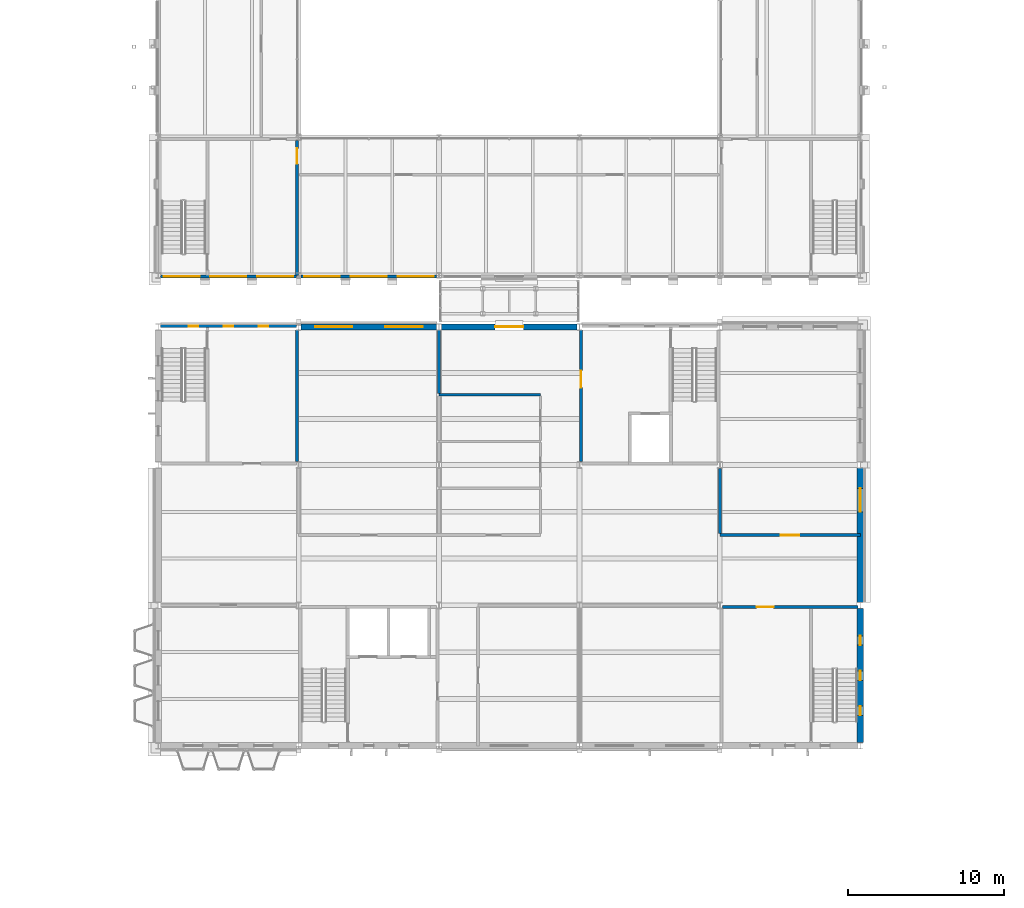
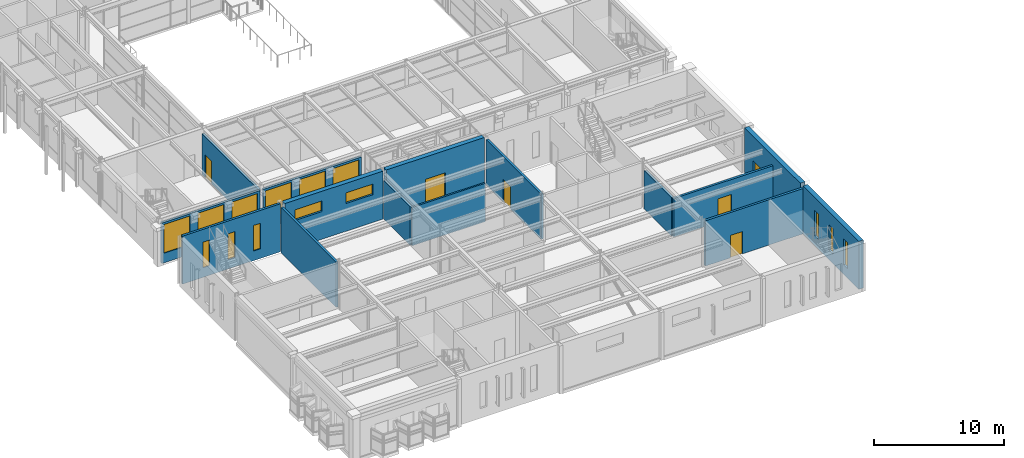
# One storey, part 96 of 153: 15 walls, 15 windows, 5 doors, 20 openings.
"""IFC4 building model written with IfcOpenShell, lengths in metres."""

import ifcopenshell
import ifcopenshell.guid

model = None  # the IFC model being written
_history = None  # IfcOwnerHistory: only IFC2X3 demands one
_inside = {}  # id of a spatial element -> (the spatial element, [elements in it])
_under = {}  # id of a project, library or spatial element -> (it, [spatial elements below it])
_declared = {}  # id of a project -> (the project, [libraries it declares])
_typed = {}  # id of a type object -> (the type object, [elements of that type])
_made_of = {}  # id of a material, layer set ... -> (it, [elements and type objects made of it])


def new_model(schema):
    """Start an empty IFC model of exactly this schema.

    Asked for "IFC4X3", IfcOpenShell would pick the latest addendum, in which some entities
    have other attributes; the version numbers below select the first issue.
    IFC2X3 requires an IfcOwnerHistory on every rooted entity: one is made here for all.
    """
    global model, _history
    if schema == "IFC4X3":
        model = ifcopenshell.file(schema_version=(4, 3, 0, 0))
    else:
        model = ifcopenshell.file(schema=schema)
    _inside.clear()
    _under.clear()
    _declared.clear()
    _typed.clear()
    _made_of.clear()
    _history = None
    if model.schema == "IFC2X3":
        org = make("IfcOrganization", Name="unknown")
        user = make(
            "IfcPersonAndOrganization",
            ThePerson=make("IfcPerson", FamilyName="unknown"),
            TheOrganization=org,
        )
        app = make(
            "IfcApplication",
            ApplicationDeveloper=org,
            Version="unknown",
            ApplicationFullName="unknown",
            ApplicationIdentifier="unknown",
        )
        _history = make(
            "IfcOwnerHistory",
            OwningUser=user,
            OwningApplication=app,
            ChangeAction="ADDED",
            CreationDate=0,
        )
    return model


def make(cls, **values):
    """One entity of the class cls with the attributes given. An attribute that is None is left unset."""
    return model.create_entity(
        cls, **{name: value for name, value in values.items() if value is not None}
    )


def rooted(cls, **values):
    """An entity with a GlobalId (a new one), such as an element, a storey or a relation."""
    return make(cls, GlobalId=ifcopenshell.guid.new(), OwnerHistory=_history, **values)


def si_unit(unit_type, name, prefix=None):
    """IfcSIUnit, for example si_unit("LENGTHUNIT", "METRE", prefix="MILLI")."""
    return make("IfcSIUnit", UnitType=unit_type, Prefix=prefix, Name=name)


def assignment(units):
    """IfcUnitAssignment: the units of a project."""
    return None if units is None else make("IfcUnitAssignment", Units=units)


def point(xyz):
    """IfcCartesianPoint."""
    return None if xyz is None else make("IfcCartesianPoint", Coordinates=xyz)


def direction(xyz):
    """IfcDirection."""
    return None if xyz is None else make("IfcDirection", DirectionRatios=xyz)


def frame(location, z_axis=None, x_axis=None):
    """IfcAxis2Placement3D, a coordinate frame: its origin and axes. An axis left out is left unset."""
    return make(
        "IfcAxis2Placement3D",
        Location=point(location),
        Axis=direction(z_axis),
        RefDirection=direction(x_axis),
    )


def frame_2d(location, x_axis=None):
    """IfcAxis2Placement2D, a coordinate frame in the plane: its origin and x axis."""
    return make(
        "IfcAxis2Placement2D", Location=point(location), RefDirection=direction(x_axis)
    )


def origin():
    """The frame at (0, 0, 0) with its axes left unset."""
    return frame((0.0, 0.0, 0.0))


def place(relative_to, where):
    """IfcLocalPlacement: puts the frame where relative to a parent placement (None: the world)."""
    return make(
        "IfcLocalPlacement", PlacementRelTo=relative_to, RelativePlacement=where
    )


def context(
    kind, dimensions, precision=None, world=None, true_north=None, identifier=None
):
    """IfcGeometricRepresentationContext, for example the 3D "Model" context."""
    return make(
        "IfcGeometricRepresentationContext",
        ContextIdentifier=identifier,
        ContextType=kind,
        CoordinateSpaceDimension=dimensions,
        Precision=precision,
        WorldCoordinateSystem=world,
        TrueNorth=true_north,
    )


def subcontext(parent, identifier, kind, view, scale=None):
    """IfcGeometricRepresentationSubContext, for example "Body" below "Model"."""
    return make(
        "IfcGeometricRepresentationSubContext",
        ContextIdentifier=identifier,
        ContextType=kind,
        ParentContext=parent,
        TargetScale=scale,
        TargetView=view,
    )


def project(units=None, contexts=None):
    """IfcProject with its units and contexts."""
    return rooted(
        "IfcProject",
        Name="project",
        RepresentationContexts=contexts,
        UnitsInContext=assignment(units),
    )


def spatial(cls, under=None, at=None, **own):
    """A site, building, storey or space (cls), placed at a placement, below another one or the project."""
    s = rooted(cls, ObjectPlacement=at, **own)
    if under is not None:
        _under.setdefault(under.id(), (under, []))[1].append(s)
    return s


def profile(cls, at=None, kind="AREA", **sizes):
    """A parametric profile (cls). Its sizes go by their IFC names, for example OverallWidth=200.0."""
    return make(cls, ProfileType=kind, Position=at, **sizes)


def rectangle(**sizes):
    """IfcRectangleProfileDef."""
    return profile("IfcRectangleProfileDef", **sizes)


def extrude(swept, where, along, depth):
    """IfcExtrudedAreaSolid: the profile swept, set in the frame where, extruded along a direction by depth."""
    return make(
        "IfcExtrudedAreaSolid",
        SweptArea=swept,
        Position=where,
        ExtrudedDirection=direction(along),
        Depth=depth,
    )


def shape(context_of_items, identifier, shape_type, items):
    """IfcShapeRepresentation: the items that make up one representation, for example the "Body"."""
    return make(
        "IfcShapeRepresentation",
        ContextOfItems=context_of_items,
        RepresentationIdentifier=identifier,
        RepresentationType=shape_type,
        Items=items,
    )


def material(Name=None, Category=None):
    """IfcMaterial."""
    return make("IfcMaterial", Name=Name, Category=Category)


def layer(
    of_material, thickness, ventilated=None, Name=None, Category=None, Priority=None
):
    """IfcMaterialLayer: one layer of a wall or slab, of a material (None: an air gap)."""
    return make(
        "IfcMaterialLayer",
        Material=of_material,
        LayerThickness=thickness,
        IsVentilated=ventilated,
        Name=Name,
        Category=Category,
        Priority=Priority,
    )


def layer_set(layers, Name=None):
    """IfcMaterialLayerSet."""
    return make("IfcMaterialLayerSet", MaterialLayers=layers, LayerSetName=Name)


def made_of(thing, what):
    """Note that an element or type object is made of a material, layer set ...; save() writes the relation."""
    if what is not None:
        _made_of.setdefault(what.id(), (what, []))[1].append(thing)
    return thing


def type_object(cls, material=None, **own):
    """A type object (cls), such as IfcWallType, which elements share."""
    return made_of(rooted(cls, **own), material)


def element(
    cls,
    number,
    at=None,
    inside=None,
    cuts=None,
    type_object=None,
    material=None,
    context=None,
    identifier="Body",
    shape_type=None,
    held_by="IfcProductDefinitionShape",
    body=None,
    shapes=None,
    **own,
):
    """One element of the class cls, such as IfcWall. Its Tag is "e" and its number.

    at: its placement. inside: the storey or other place that contains it. cuts: it is an
    opening in that element (IfcRelVoidsElement). A single representation is given by context,
    identifier, shape_type and body (its items); several are given by shapes. held_by: the class
    of the entity that holds the representations. save() writes the other relations.
    """
    e = rooted(cls, Tag="e%d" % number, ObjectPlacement=at, **own)
    if body is not None:
        shapes = [shape(context, identifier, shape_type, body)]
    if shapes is not None:
        e.Representation = make(held_by, Representations=shapes)
    if inside is not None:
        _inside.setdefault(inside.id(), (inside, []))[1].append(e)
    if cuts is not None:
        rooted(
            "IfcRelVoidsElement", RelatingBuildingElement=cuts, RelatedOpeningElement=e
        )
    if type_object is not None:
        _typed.setdefault(type_object.id(), (type_object, []))[1].append(e)
    return made_of(e, material)


def fill(opening, filler):
    """IfcRelFillsElement: the door or window that sits in an opening."""
    return rooted(
        "IfcRelFillsElement",
        RelatingOpeningElement=opening,
        RelatedBuildingElement=filler,
    )


def aggregate(whole, parts):
    """IfcRelAggregates: a whole, such as a stair, and the parts it consists of."""
    return rooted("IfcRelAggregates", RelatingObject=whole, RelatedObjects=parts)


def save(model, path):
    """Write the relations noted so far, then the file.

    IfcRelAggregates (storeys below a building ...), IfcRelContainedInSpatialStructure (elements
    in a storey), IfcRelDefinesByType, IfcRelAssociatesMaterial and IfcRelDeclares: one each for
    every whole, place, type object, material and project.
    """
    for whole, parts in _under.values():
        aggregate(whole, parts)
    for where, things in _inside.values():
        rooted(
            "IfcRelContainedInSpatialStructure",
            RelatedElements=things,
            RelatingStructure=where,
        )
    for kind, things in _typed.values():
        rooted("IfcRelDefinesByType", RelatedObjects=things, RelatingType=kind)
    for what, things in _made_of.values():
        rooted("IfcRelAssociatesMaterial", RelatedObjects=things, RelatingMaterial=what)
    for by, libraries in _declared.values():
        rooted("IfcRelDeclares", RelatingContext=by, RelatedDefinitions=libraries)
    model.write(path)


model = new_model("IFC4")

# Units and contexts
model_context = context("Model", 3, precision=1e-05, world=origin(), true_north=direction((0.0, 1.0)))
body_context = subcontext(model_context, "Body", "Model", "MODEL_VIEW")
ifc_project = project(units=[si_unit("LENGTHUNIT", "METRE"), si_unit("AREAUNIT", "SQUARE_METRE"), si_unit("VOLUMEUNIT", "CUBIC_METRE"), si_unit("PLANEANGLEUNIT", "RADIAN"), si_unit("MASSUNIT", "GRAM", prefix="KILO")], contexts=[model_context])

# Site, building, storey
site_placement = place(None, origin())
site = spatial("IfcSite", under=ifc_project, at=site_placement, CompositionType="ELEMENT")
building_placement = place(site_placement, origin())
building = spatial("IfcBuilding", under=site, at=building_placement, Name="Kallimachos Central Library", CompositionType="ELEMENT")
storey_placement = place(building_placement, frame((0.0, 0.0, 5.39990234375)))
storey = spatial("IfcBuildingStorey", under=building, at=storey_placement, Name="L01", CompositionType="ELEMENT", Elevation=5.39990234375)

# Wall, opening, door
ifc_material_1 = material(Name="Concrete C30/37", Category="concrete")
ifc_layer_1 = layer(ifc_material_1, 0.199951171875)
ifc_layer_set_1 = layer_set([ifc_layer_1], Name="Compartment wall 200")
wall_type_1 = type_object("IfcWallType", Name="Compartment wall 200", PredefinedType="SOLIDWALL", material=ifc_layer_set_1)
wall_1_placement = place(storey_placement, frame((101.5, 31.5, 0.0), z_axis=(0.0, 0.0, 1.0), x_axis=(1.0, 0.0, 0.0)))
wall_1 = element("IfcWall", 1, at=wall_1_placement, inside=storey, type_object=wall_type_1, Name="V5-WAL-L01-047", PredefinedType="SOLIDWALL", context=body_context, shape_type="SweptSolid", body=[
    extrude(rectangle(XDim=9.0, YDim=0.199951171875, at=frame_2d((4.5, 0.0))), origin(), (0.0, 0.0, 1.0), 3.60009765625),
])
opening_1_placement = place(wall_1_placement, frame((3.89990234375, 0.0, 0.0)))
opening_1 = element("IfcOpeningElement", 2, at=opening_1_placement, cuts=wall_1, Name="Opening D108", PredefinedType="OPENING", context=body_context, shape_type="SweptSolid", body=[
    extrude(rectangle(XDim=1.199951171875, YDim=2.199951171875, at=frame_2d((0.60009765625, 1.10009765625))), frame((0.0, 0.10986328125, 0.0), z_axis=(0.0, -1.0, 0.0), x_axis=(1.0, 0.0, 0.0)), (0.0, 0.0, 1.0), 0.219970703125),
])
ifc_material_2 = material(Name="Steel fire door", Category="steel")
door_type_1 = type_object("IfcDoorType", Name="Fire door EI2 90 1200 x 2200", OperationType="DOUBLE_DOOR_SINGLE_SWING", PredefinedType="DOOR", material=ifc_material_2)
door_1_placement = place(opening_1_placement, origin())
door_1 = element("IfcDoor", 3, at=door_1_placement, inside=storey, type_object=door_type_1, Name="Plant Room 3 door", OperationType="DOUBLE_DOOR_SINGLE_SWING", OverallHeight=2.199951171875, OverallWidth=1.199951171875, PredefinedType="DOOR", context=body_context, shape_type="SweptSolid", body=[
    extrude(rectangle(XDim=1.199951171875, YDim=2.199951171875, at=frame_2d((0.60009765625, 1.10009765625))), frame((0.0, 0.02490234375, 0.0), z_axis=(0.0, -1.0, 0.0), x_axis=(1.0, 0.0, 0.0)), (0.0, 0.0, 1.0), 0.050048828125),
])
fill(opening_1, door_1)

# Walls
wall_2_placement = place(storey_placement, frame((83.5, 40.574951171875, 0.0), z_axis=(0.0, 0.0, 1.0), x_axis=(0.0, 1.0, 0.0)))
element("IfcWall", 4, at=wall_2_placement, inside=storey, type_object=wall_type_1, Name="V5-WAL-L01-056", PredefinedType="SOLIDWALL", context=body_context, shape_type="SweptSolid", body=[
    extrude(rectangle(XDim=4.074951171875, YDim=0.199951171875, at=frame_2d((2.03759765625, 0.0))), origin(), (0.0, 0.0, 1.0), 3.60009765625),
])
wall_3_placement = place(storey_placement, frame((101.5, 31.60009765625, 0.0), z_axis=(0.0, 0.0, 1.0), x_axis=(0.0, 1.0, 0.0)))
element("IfcWall", 5, at=wall_3_placement, inside=storey, type_object=wall_type_1, Name="V5-WAL-L01-061", PredefinedType="SOLIDWALL", context=body_context, shape_type="SweptSolid", body=[
    extrude(rectangle(XDim=4.183837890625, YDim=0.199951171875, at=frame_2d((2.091796875, 0.0))), origin(), (0.0, 0.0, 1.0), 3.60009765625),
])

# Wall, opening, door
ifc_material_3 = material(Name="Concrete C30/37", Category="concrete")
ifc_layer_2 = layer(ifc_material_3, 0.199951171875)
ifc_layer_set_2 = layer_set([ifc_layer_2], Name="Core wall 200")
wall_type_2 = type_object("IfcWallType", Name="Core wall 200", PredefinedType="SOLIDWALL", material=ifc_layer_set_2)
wall_4_placement = place(storey_placement, frame((92.60009765625, 36.216064453125, 0.0), z_axis=(0.0, 0.0, 1.0), x_axis=(0.0, 1.0, 0.0)))
wall_4 = element("IfcWall", 6, at=wall_4_placement, inside=storey, type_object=wall_type_2, Name="V5-WAL-L01-034", PredefinedType="SOLIDWALL", context=body_context, shape_type="SweptSolid", body=[
    extrude(rectangle(XDim=8.433837890625, YDim=0.199951171875, at=frame_2d((4.216796875, 0.0))), origin(), (0.0, 0.0, 1.0), 4.25),
])
opening_2_placement = place(wall_4_placement, frame((4.73388671875, 0.0, 0.0)))
opening_2 = element("IfcOpeningElement", 7, at=opening_2_placement, cuts=wall_4, Name="Opening D97", PredefinedType="OPENING", context=body_context, shape_type="SweptSolid", body=[
    extrude(rectangle(XDim=1.10009765625, YDim=2.10009765625, at=frame_2d((0.550048828125, 1.050048828125))), frame((0.0, 0.10986328125, 0.0), z_axis=(0.0, -1.0, 0.0), x_axis=(1.0, 0.0, 0.0)), (0.0, 0.0, 1.0), 0.219970703125),
])
ifc_material_4 = material(Name="Steel fire door", Category="steel")
door_type_2 = type_object("IfcDoorType", Name="Fire door EI2 90 1100 x 2100", OperationType="NOTDEFINED", PredefinedType="DOOR", material=ifc_material_4)
door_2_placement = place(opening_2_placement, frame((1.10009765625, 0.0, 0.0), z_axis=(0.0, 0.0, 1.0), x_axis=(-1.0, 0.0, 0.0)))
door_2 = element("IfcDoor", 8, at=door_2_placement, inside=storey, type_object=door_type_2, Name="ST14 lobby door L01", OperationType="SINGLE_SWING_LEFT", OverallHeight=2.10009765625, OverallWidth=1.10009765625, PredefinedType="DOOR", context=body_context, shape_type="SweptSolid", body=[
    extrude(rectangle(XDim=1.10009765625, YDim=2.10009765625, at=frame_2d((0.550048828125, 1.050048828125))), frame((0.0, 0.02490234375, 0.0), z_axis=(0.0, -1.0, 0.0), x_axis=(1.0, 0.0, 0.0)), (0.0, 0.0, 1.0), 0.050048828125),
])
fill(opening_2, door_2)

# Wall
wall_5_placement = place(storey_placement, frame((74.39990234375, 36.216064453125, 0.0), z_axis=(0.0, 0.0, 1.0), x_axis=(0.0, 1.0, 0.0)))
element("IfcWall", 9, at=wall_5_placement, inside=storey, type_object=wall_type_2, Name="V5-WAL-L01-038", PredefinedType="SOLIDWALL", context=body_context, shape_type="SweptSolid", body=[
    extrude(rectangle(XDim=8.433837890625, YDim=0.199951171875, at=frame_2d((4.216796875, 0.0))), origin(), (0.0, 0.0, 1.0), 4.25),
])

# Wall, opening, door
wall_6_placement = place(storey_placement, frame((101.653564453125, 26.89990234375, 0.0), z_axis=(0.0, 0.0, 1.0), x_axis=(1.0, 0.0, 0.0)))
wall_6 = element("IfcWall", 10, at=wall_6_placement, inside=storey, type_object=wall_type_2, Name="V5-WAL-L01-040", PredefinedType="SOLIDWALL", context=body_context, shape_type="SweptSolid", body=[
    extrude(rectangle(XDim=8.696533203125, YDim=0.199951171875, at=frame_2d((4.34814453125, 0.0))), origin(), (0.0, 0.0, 1.0), 4.25),
])
opening_3_placement = place(wall_6_placement, frame((2.196533203125, 0.0, 0.0)))
opening_3 = element("IfcOpeningElement", 11, at=opening_3_placement, cuts=wall_6, Name="Opening D101", PredefinedType="OPENING", context=body_context, shape_type="SweptSolid", body=[
    extrude(rectangle(XDim=1.10009765625, YDim=2.10009765625, at=frame_2d((0.550048828125, 1.050048828125))), frame((0.0, 0.10986328125, 0.0), z_axis=(0.0, -1.0, 0.0), x_axis=(1.0, 0.0, 0.0)), (0.0, 0.0, 1.0), 0.219970703125),
])
door_3_placement = place(opening_3_placement, frame((1.10009765625, 0.0, 0.0), z_axis=(0.0, 0.0, 1.0), x_axis=(-1.0, 0.0, 0.0)))
door_3 = element("IfcDoor", 12, at=door_3_placement, inside=storey, type_object=door_type_2, Name="ST16 lobby door L01", OperationType="SINGLE_SWING_LEFT", OverallHeight=2.10009765625, OverallWidth=1.10009765625, PredefinedType="DOOR", context=body_context, shape_type="SweptSolid", body=[
    extrude(rectangle(XDim=1.10009765625, YDim=2.10009765625, at=frame_2d((0.550048828125, 1.050048828125))), frame((0.0, 0.02490234375, 0.0), z_axis=(0.0, -1.0, 0.0), x_axis=(1.0, 0.0, 0.0)), (0.0, 0.0, 1.0), 0.050048828125),
])
fill(opening_3, door_3)

# Wall
ifc_material_5 = material(Name="Gypsum board partition")
ifc_layer_3 = layer(ifc_material_5, 0.14990234375)
ifc_layer_set_3 = layer_set([ifc_layer_3], Name="Fire-resisting partition 150")
wall_type_3 = type_object("IfcWallType", Name="Fire-resisting partition 150", PredefinedType="PARTITIONING", material=ifc_layer_set_3)
wall_7_placement = place(storey_placement, frame((83.5, 40.5, 0.0), z_axis=(0.0, 0.0, 1.0), x_axis=(1.0, 0.0, 0.0)))
element("IfcWall", 13, at=wall_7_placement, inside=storey, type_object=wall_type_3, Name="V5-WAL-L01-050", PredefinedType="PARTITIONING", context=body_context, shape_type="SweptSolid", body=[
    extrude(rectangle(XDim=6.5, YDim=0.14990234375, at=frame_2d((3.25, 0.0))), origin(), (0.0, 0.0, 1.0), 3.60009765625),
])

# Wall, opening, door
ifc_material_6 = material(Name="Concrete C35/45", Category="concrete")
ifc_layer_4 = layer(ifc_material_6, 0.199951171875)
ifc_layer_set_4 = layer_set([ifc_layer_4], Name="Shear core wall 200, internal")
wall_type_4 = type_object("IfcWallType", Name="Shear core wall 200, internal", PredefinedType="SHEAR", material=ifc_layer_set_4)
wall_8_placement = place(storey_placement, frame((74.39990234375, 48.14990234375, 0.0), z_axis=(0.0, 0.0, 1.0), x_axis=(0.0, 1.0, 0.0)))
wall_8 = element("IfcWall", 14, at=wall_8_placement, inside=storey, type_object=wall_type_4, Name="L01 core wall V4-SW E", PredefinedType="SHEAR", context=body_context, shape_type="SweptSolid", body=[
    extrude(rectangle(XDim=8.650146484375, YDim=0.199951171875, at=frame_2d((4.3251953125, 0.0))), origin(), (0.0, 0.0, 1.0), 3.800048828125),
])
opening_4_placement = place(wall_8_placement, frame((7.14990234375, 0.0, 0.0)))
opening_4 = element("IfcOpeningElement", 15, at=opening_4_placement, cuts=wall_8, Name="Opening D172", PredefinedType="OPENING", context=body_context, shape_type="SweptSolid", body=[
    extrude(rectangle(XDim=1.0, YDim=2.10009765625, at=frame_2d((0.5, 1.050048828125))), frame((0.0, 0.10986328125, 0.0), z_axis=(0.0, -1.0, 0.0), x_axis=(1.0, 0.0, 0.0)), (0.0, 0.0, 1.0), 0.219970703125),
])
ifc_material_7 = material(Name="Timber", Category="wood")
door_type_3 = type_object("IfcDoorType", Name="Single leaf door 1000 x 2100, EI2 90", OperationType="NOTDEFINED", PredefinedType="DOOR", material=ifc_material_7)
door_4_placement = place(opening_4_placement, origin())
door_4 = element("IfcDoor", 16, at=door_4_placement, inside=storey, type_object=door_type_3, Name="L01 core door V4-SW", OperationType="SINGLE_SWING_RIGHT", OverallHeight=2.10009765625, OverallWidth=1.0, PredefinedType="DOOR", context=body_context, shape_type="SweptSolid", body=[
    extrude(rectangle(XDim=1.0, YDim=2.10009765625, at=frame_2d((0.5, 1.050048828125))), frame((0.0, 0.02490234375, 0.0), z_axis=(0.0, -1.0, 0.0), x_axis=(1.0, 0.0, 0.0)), (0.0, 0.0, 1.0), 0.050048828125),
])
fill(opening_4, door_4)

# Wall, openings, windows
ifc_material_8 = material(Name="Pentelic marble masonry", Category="masonry")
ifc_layer_5 = layer(ifc_material_8, 0.39990234375)
ifc_layer_set_5 = layer_set([ifc_layer_5], Name="Stone masonry wall 400")
wall_type_5 = type_object("IfcWallType", Name="Stone masonry wall 400", PredefinedType="SOLIDWALL", material=ifc_layer_set_5)
wall_9_placement = place(storey_placement, frame((74.64990234375, 44.85009765625, 0.0), z_axis=(0.0, 0.0, 1.0), x_axis=(1.0, 0.0, 0.0)))
wall_9 = element("IfcWall", 17, at=wall_9_placement, inside=storey, type_object=wall_type_5, Name="V5-WAL-L01-016", PredefinedType="SOLIDWALL", context=body_context, shape_type="SweptSolid", body=[
    extrude(rectangle(XDim=8.7001953125, YDim=0.39990234375, at=frame_2d((4.35009765625, 0.0))), origin(), (0.0, 0.0, 1.0), 4.5),
])
opening_5_placement = place(wall_9_placement, frame((0.89990234375, 0.0, 2.60009765625)))
opening_5 = element("IfcOpeningElement", 18, at=opening_5_placement, cuts=wall_9, Name="Opening WN47", PredefinedType="OPENING", context=body_context, shape_type="SweptSolid", body=[
    extrude(rectangle(XDim=2.39990234375, YDim=1.0, at=frame_2d((1.199951171875, 0.5))), frame((0.0, 0.2099609375, 0.0), z_axis=(0.0, -1.0, 0.0), x_axis=(1.0, 0.0, 0.0)), (0.0, 0.0, 1.0), 0.419921875),
])
opening_6_placement = place(wall_9_placement, frame((5.39990234375, 0.0, 2.60009765625)))
opening_6 = element("IfcOpeningElement", 19, at=opening_6_placement, cuts=wall_9, Name="Opening WN48", PredefinedType="OPENING", context=body_context, shape_type="SweptSolid", body=[
    extrude(rectangle(XDim=2.39990234375, YDim=1.0, at=frame_2d((1.199951171875, 0.5))), frame((0.0, 0.2099609375, 0.0), z_axis=(0.0, -1.0, 0.0), x_axis=(1.0, 0.0, 0.0)), (0.0, 0.0, 1.0), 0.419921875),
])
ifc_material_9 = material(Name="Anodised aluminium and laminated glass", Category="aluminium")
window_type_1 = type_object("IfcWindowType", Name="Clerestory window 2400 x 1000", PartitioningType="SINGLE_PANEL", PredefinedType="WINDOW", material=ifc_material_9)
window_1_placement = place(opening_5_placement, origin())
window_1 = element("IfcWindow", 20, at=window_1_placement, inside=storey, type_object=window_type_1, Name="V5-WIN-L01-016", OverallHeight=1.0, OverallWidth=2.39990234375, PartitioningType="SINGLE_PANEL", PredefinedType="WINDOW", context=body_context, shape_type="SweptSolid", body=[
    extrude(rectangle(XDim=2.39990234375, YDim=1.0, at=frame_2d((1.199951171875, 0.5))), frame((0.0, 0.030029296875, 0.0), z_axis=(0.0, -1.0, 0.0), x_axis=(1.0, 0.0, 0.0)), (0.0, 0.0, 1.0), 0.06005859375),
])
fill(opening_5, window_1)
window_2_placement = place(opening_6_placement, origin())
window_2 = element("IfcWindow", 21, at=window_2_placement, inside=storey, type_object=window_type_1, Name="V5-WIN-L01-017", OverallHeight=1.0, OverallWidth=2.39990234375, PartitioningType="SINGLE_PANEL", PredefinedType="WINDOW", context=body_context, shape_type="SweptSolid", body=[
    extrude(rectangle(XDim=2.39990234375, YDim=1.0, at=frame_2d((1.199951171875, 0.5))), frame((0.0, 0.030029296875, 0.0), z_axis=(0.0, -1.0, 0.0), x_axis=(1.0, 0.0, 0.0)), (0.0, 0.0, 1.0), 0.06005859375),
])
fill(opening_6, window_2)

# Wall, opening, door
wall_10_placement = place(storey_placement, frame((83.64990234375, 44.85009765625, 0.0), z_axis=(0.0, 0.0, 1.0), x_axis=(1.0, 0.0, 0.0)))
wall_10 = element("IfcWall", 22, at=wall_10_placement, inside=storey, type_object=wall_type_5, Name="V5-WAL-L01-017", PredefinedType="SOLIDWALL", context=body_context, shape_type="SweptSolid", body=[
    extrude(rectangle(XDim=8.7001953125, YDim=0.39990234375, at=frame_2d((4.35009765625, 0.0))), origin(), (0.0, 0.0, 1.0), 4.5),
])
opening_7_placement = place(wall_10_placement, frame((3.449951171875, 0.0, 0.0)))
opening_7 = element("IfcOpeningElement", 23, at=opening_7_placement, cuts=wall_10, Name="Opening DL3", PredefinedType="OPENING", context=body_context, shape_type="SweptSolid", body=[
    extrude(rectangle(XDim=1.800048828125, YDim=2.39990234375, at=frame_2d((0.89990234375, 1.199951171875))), frame((0.0, 0.2099609375, 0.0), z_axis=(0.0, -1.0, 0.0), x_axis=(1.0, 0.0, 0.0)), (0.0, 0.0, 1.0), 0.419921875),
])
ifc_material_10 = material(Name="Anodised aluminium and laminated glass", Category="aluminium")
door_type_4 = type_object("IfcDoorType", Name="Link door 1800 x 2400", OperationType="DOUBLE_DOOR_SINGLE_SWING", PredefinedType="DOOR", material=ifc_material_10)
door_5_placement = place(opening_7_placement, origin())
door_5 = element("IfcDoor", 24, at=door_5_placement, inside=storey, type_object=door_type_4, Name="Stacks link door L01", OperationType="DOUBLE_DOOR_SINGLE_SWING", OverallHeight=2.39990234375, OverallWidth=1.800048828125, PredefinedType="DOOR", context=body_context, shape_type="SweptSolid", body=[
    extrude(rectangle(XDim=1.800048828125, YDim=2.39990234375, at=frame_2d((0.89990234375, 1.199951171875))), frame((0.0, 0.02490234375, 0.0), z_axis=(0.0, -1.0, 0.0), x_axis=(1.0, 0.0, 0.0)), (0.0, 0.0, 1.0), 0.050048828125),
])
fill(opening_7, door_5)

# Wall, opening, window
wall_11_placement = place(storey_placement, frame((110.5, 27.199951171875, 0.0), z_axis=(0.0, 0.0, 1.0), x_axis=(0.0, 1.0, 0.0)))
wall_11 = element("IfcWall", 25, at=wall_11_placement, inside=storey, type_object=wall_type_5, Name="V5-WAL-L01-024", PredefinedType="SOLIDWALL", context=body_context, shape_type="SweptSolid", body=[
    extrude(rectangle(XDim=8.60009765625, YDim=0.39990234375, at=frame_2d((4.300048828125, 0.0))), origin(), (0.0, 0.0, 1.0), 4.5),
])
opening_8_placement = place(wall_11_placement, frame((5.800048828125, 0.0, 1.0)))
opening_8 = element("IfcOpeningElement", 26, at=opening_8_placement, cuts=wall_11, Name="Opening WN64", PredefinedType="OPENING", context=body_context, shape_type="SweptSolid", body=[
    extrude(rectangle(XDim=1.5, YDim=1.199951171875, at=frame_2d((0.75, 0.60009765625))), frame((0.0, 0.2099609375, 0.0), z_axis=(0.0, -1.0, 0.0), x_axis=(1.0, 0.0, 0.0)), (0.0, 0.0, 1.0), 0.419921875),
])
ifc_material_11 = material(Name="Anodised aluminium louvre", Category="aluminium")
window_type_2 = type_object("IfcWindowType", Name="Plant louvre 1500 x 1200", PartitioningType="SINGLE_PANEL", PredefinedType="WINDOW", material=ifc_material_11)
window_3_placement = place(opening_8_placement, origin())
window_3 = element("IfcWindow", 27, at=window_3_placement, inside=storey, type_object=window_type_2, Name="V5-WIN-L01-033", OverallHeight=1.199951171875, OverallWidth=1.5, PartitioningType="SINGLE_PANEL", PredefinedType="WINDOW", context=body_context, shape_type="SweptSolid", body=[
    extrude(rectangle(XDim=1.5, YDim=1.199951171875, at=frame_2d((0.75, 0.60009765625))), frame((0.0, 0.030029296875, 0.0), z_axis=(0.0, -1.0, 0.0), x_axis=(1.0, 0.0, 0.0)), (0.0, 0.0, 1.0), 0.06005859375),
])
fill(opening_8, window_3)

# Wall, openings, windows
ifc_material_12 = material(Name="Concrete C30/37", Category="concrete")
ifc_layer_6 = layer(ifc_material_12, 0.199951171875)
ifc_layer_set_6 = layer_set([ifc_layer_6], Name="Stone-clad core wall 200")
wall_type_6 = type_object("IfcWallType", Name="Stone-clad core wall 200", PredefinedType="SOLIDWALL", material=ifc_layer_set_6)
wall_12_placement = place(storey_placement, frame((65.64990234375, 44.89990234375, 0.0), z_axis=(0.0, 0.0, 1.0), x_axis=(1.0, 0.0, 0.0)))
wall_12 = element("IfcWall", 28, at=wall_12_placement, inside=storey, type_object=wall_type_6, Name="V5-WAL-L01-015", PredefinedType="SOLIDWALL", context=body_context, shape_type="SweptSolid", body=[
    extrude(rectangle(XDim=8.7001953125, YDim=0.199951171875, at=frame_2d((4.35009765625, 0.0))), origin(), (0.0, 0.0, 1.0), 4.5),
])
opening_9_placement = place(wall_12_placement, frame((1.800048828125, 0.0, 0.89990234375)))
opening_9 = element("IfcOpeningElement", 29, at=opening_9_placement, cuts=wall_12, Name="Opening WN44", PredefinedType="OPENING", context=body_context, shape_type="SweptSolid", body=[
    extrude(rectangle(XDim=0.60009765625, YDim=2.39990234375, at=frame_2d((0.300048828125, 1.199951171875))), frame((0.0, 0.10986328125, 0.0), z_axis=(0.0, -1.0, 0.0), x_axis=(1.0, 0.0, 0.0)), (0.0, 0.0, 1.0), 0.219970703125),
])
opening_10_placement = place(wall_12_placement, frame((4.050048828125, 0.0, 0.89990234375)))
opening_10 = element("IfcOpeningElement", 30, at=opening_10_placement, cuts=wall_12, Name="Opening WN45", PredefinedType="OPENING", context=body_context, shape_type="SweptSolid", body=[
    extrude(rectangle(XDim=0.60009765625, YDim=2.39990234375, at=frame_2d((0.300048828125, 1.199951171875))), frame((0.0, 0.10986328125, 0.0), z_axis=(0.0, -1.0, 0.0), x_axis=(1.0, 0.0, 0.0)), (0.0, 0.0, 1.0), 0.219970703125),
])
opening_11_placement = place(wall_12_placement, frame((6.300048828125, 0.0, 0.89990234375)))
opening_11 = element("IfcOpeningElement", 31, at=opening_11_placement, cuts=wall_12, Name="Opening WN46", PredefinedType="OPENING", context=body_context, shape_type="SweptSolid", body=[
    extrude(rectangle(XDim=0.60009765625, YDim=2.39990234375, at=frame_2d((0.300048828125, 1.199951171875))), frame((0.0, 0.10986328125, 0.0), z_axis=(0.0, -1.0, 0.0), x_axis=(1.0, 0.0, 0.0)), (0.0, 0.0, 1.0), 0.219970703125),
])
ifc_material_13 = material(Name="Anodised aluminium and laminated glass", Category="aluminium")
window_type_3 = type_object("IfcWindowType", Name="Slot window 600 x 2400", PartitioningType="SINGLE_PANEL", PredefinedType="WINDOW", material=ifc_material_13)
window_4_placement = place(opening_9_placement, origin())
window_4 = element("IfcWindow", 32, at=window_4_placement, inside=storey, type_object=window_type_3, Name="V5-WIN-L01-013", OverallHeight=2.39990234375, OverallWidth=0.60009765625, PartitioningType="SINGLE_PANEL", PredefinedType="WINDOW", context=body_context, shape_type="SweptSolid", body=[
    extrude(rectangle(XDim=0.60009765625, YDim=2.39990234375, at=frame_2d((0.300048828125, 1.199951171875))), frame((0.0, 0.030029296875, 0.0), z_axis=(0.0, -1.0, 0.0), x_axis=(1.0, 0.0, 0.0)), (0.0, 0.0, 1.0), 0.06005859375),
])
fill(opening_9, window_4)
window_5_placement = place(opening_10_placement, origin())
window_5 = element("IfcWindow", 33, at=window_5_placement, inside=storey, type_object=window_type_3, Name="V5-WIN-L01-014", OverallHeight=2.39990234375, OverallWidth=0.60009765625, PartitioningType="SINGLE_PANEL", PredefinedType="WINDOW", context=body_context, shape_type="SweptSolid", body=[
    extrude(rectangle(XDim=0.60009765625, YDim=2.39990234375, at=frame_2d((0.300048828125, 1.199951171875))), frame((0.0, 0.030029296875, 0.0), z_axis=(0.0, -1.0, 0.0), x_axis=(1.0, 0.0, 0.0)), (0.0, 0.0, 1.0), 0.06005859375),
])
fill(opening_10, window_5)
window_6_placement = place(opening_11_placement, origin())
window_6 = element("IfcWindow", 34, at=window_6_placement, inside=storey, type_object=window_type_3, Name="V5-WIN-L01-015", OverallHeight=2.39990234375, OverallWidth=0.60009765625, PartitioningType="SINGLE_PANEL", PredefinedType="WINDOW", context=body_context, shape_type="SweptSolid", body=[
    extrude(rectangle(XDim=0.60009765625, YDim=2.39990234375, at=frame_2d((0.300048828125, 1.199951171875))), frame((0.0, 0.030029296875, 0.0), z_axis=(0.0, -1.0, 0.0), x_axis=(1.0, 0.0, 0.0)), (0.0, 0.0, 1.0), 0.06005859375),
])
fill(opening_11, window_6)

ifc_material_14 = material(Name="Concrete C30/37", Category="concrete")
ifc_layer_7 = layer(ifc_material_14, 0.39990234375)
ifc_layer_set_7 = layer_set([ifc_layer_7], Name="Stone-clad core wall 400")
wall_type_7 = type_object("IfcWallType", Name="Stone-clad core wall 400", PredefinedType="SOLIDWALL", material=ifc_layer_set_7)
wall_13_placement = place(storey_placement, frame((110.5, 18.199951171875, 0.0), z_axis=(0.0, 0.0, 1.0), x_axis=(0.0, 1.0, 0.0)))
wall_13 = element("IfcWall", 35, at=wall_13_placement, inside=storey, type_object=wall_type_7, Name="V5-WAL-L01-023", PredefinedType="SOLIDWALL", context=body_context, shape_type="SweptSolid", body=[
    extrude(rectangle(XDim=8.60009765625, YDim=0.39990234375, at=frame_2d((4.300048828125, 0.0))), origin(), (0.0, 0.0, 1.0), 4.5),
])
opening_12_placement = place(wall_13_placement, frame((1.75, 0.0, 0.89990234375)))
opening_12 = element("IfcOpeningElement", 36, at=opening_12_placement, cuts=wall_13, Name="Opening WN61", PredefinedType="OPENING", context=body_context, shape_type="SweptSolid", body=[
    extrude(rectangle(XDim=0.60009765625, YDim=2.39990234375, at=frame_2d((0.300048828125, 1.199951171875))), frame((0.0, 0.2099609375, 0.0), z_axis=(0.0, -1.0, 0.0), x_axis=(1.0, 0.0, 0.0)), (0.0, 0.0, 1.0), 0.419921875),
])
opening_13_placement = place(wall_13_placement, frame((4.0, 0.0, 0.89990234375)))
opening_13 = element("IfcOpeningElement", 37, at=opening_13_placement, cuts=wall_13, Name="Opening WN62", PredefinedType="OPENING", context=body_context, shape_type="SweptSolid", body=[
    extrude(rectangle(XDim=0.60009765625, YDim=2.39990234375, at=frame_2d((0.300048828125, 1.199951171875))), frame((0.0, 0.2099609375, 0.0), z_axis=(0.0, -1.0, 0.0), x_axis=(1.0, 0.0, 0.0)), (0.0, 0.0, 1.0), 0.419921875),
])
opening_14_placement = place(wall_13_placement, frame((6.25, 0.0, 0.89990234375)))
opening_14 = element("IfcOpeningElement", 38, at=opening_14_placement, cuts=wall_13, Name="Opening WN63", PredefinedType="OPENING", context=body_context, shape_type="SweptSolid", body=[
    extrude(rectangle(XDim=0.60009765625, YDim=2.39990234375, at=frame_2d((0.300048828125, 1.199951171875))), frame((0.0, 0.2099609375, 0.0), z_axis=(0.0, -1.0, 0.0), x_axis=(1.0, 0.0, 0.0)), (0.0, 0.0, 1.0), 0.419921875),
])
window_7_placement = place(opening_12_placement, origin())
window_7 = element("IfcWindow", 39, at=window_7_placement, inside=storey, type_object=window_type_3, Name="V5-WIN-L01-030", OverallHeight=2.39990234375, OverallWidth=0.60009765625, PartitioningType="SINGLE_PANEL", PredefinedType="WINDOW", context=body_context, shape_type="SweptSolid", body=[
    extrude(rectangle(XDim=0.60009765625, YDim=2.39990234375, at=frame_2d((0.300048828125, 1.199951171875))), frame((0.0, 0.030029296875, 0.0), z_axis=(0.0, -1.0, 0.0), x_axis=(1.0, 0.0, 0.0)), (0.0, 0.0, 1.0), 0.06005859375),
])
fill(opening_12, window_7)
window_8_placement = place(opening_13_placement, origin())
window_8 = element("IfcWindow", 40, at=window_8_placement, inside=storey, type_object=window_type_3, Name="V5-WIN-L01-031", OverallHeight=2.39990234375, OverallWidth=0.60009765625, PartitioningType="SINGLE_PANEL", PredefinedType="WINDOW", context=body_context, shape_type="SweptSolid", body=[
    extrude(rectangle(XDim=0.60009765625, YDim=2.39990234375, at=frame_2d((0.300048828125, 1.199951171875))), frame((0.0, 0.030029296875, 0.0), z_axis=(0.0, -1.0, 0.0), x_axis=(1.0, 0.0, 0.0)), (0.0, 0.0, 1.0), 0.06005859375),
])
fill(opening_13, window_8)
window_9_placement = place(opening_14_placement, origin())
window_9 = element("IfcWindow", 41, at=window_9_placement, inside=storey, type_object=window_type_3, Name="V5-WIN-L01-032", OverallHeight=2.39990234375, OverallWidth=0.60009765625, PartitioningType="SINGLE_PANEL", PredefinedType="WINDOW", context=body_context, shape_type="SweptSolid", body=[
    extrude(rectangle(XDim=0.60009765625, YDim=2.39990234375, at=frame_2d((0.300048828125, 1.199951171875))), frame((0.0, 0.030029296875, 0.0), z_axis=(0.0, -1.0, 0.0), x_axis=(1.0, 0.0, 0.0)), (0.0, 0.0, 1.0), 0.06005859375),
])
fill(opening_14, window_9)

ifc_material_15 = material(Name="Brick masonry with Pentelic marble cladding", Category="masonry")
ifc_layer_8 = layer(ifc_material_15, 0.199951171875)
ifc_layer_set_8 = layer_set([ifc_layer_8], Name="Stone-clad masonry wall 200")
wall_type_8 = type_object("IfcWallType", Name="Stone-clad masonry wall 200", PredefinedType="SOLIDWALL", material=ifc_layer_set_8)
wall_14_placement = place(storey_placement, frame((74.64990234375, 48.080078125, 0.0), z_axis=(0.0, 0.0, 1.0), x_axis=(1.0, 0.0, 0.0)))
wall_14 = element("IfcWall", 42, at=wall_14_placement, inside=storey, type_object=wall_type_8, Name="V4-WAL-L01-016", PredefinedType="SOLIDWALL", context=body_context, shape_type="SweptSolid", body=[
    extrude(rectangle(XDim=8.7001953125, YDim=0.199951171875, at=frame_2d((4.35009765625, 0.0))), origin(), (0.0, 0.0, 1.0), 3.800048828125),
])
opening_15_placement = place(wall_14_placement, frame((0.199951171875, 0.0, 0.89990234375)))
opening_15 = element("IfcOpeningElement", 43, at=opening_15_placement, cuts=wall_14, Name="Opening WN161", PredefinedType="OPENING", context=body_context, shape_type="SweptSolid", body=[
    extrude(rectangle(XDim=2.300048828125, YDim=2.699951171875, at=frame_2d((1.14990234375, 1.35009765625))), frame((0.0, 0.10986328125, 0.0), z_axis=(0.0, -1.0, 0.0), x_axis=(1.0, 0.0, 0.0)), (0.0, 0.0, 1.0), 0.219970703125),
])
opening_16_placement = place(wall_14_placement, frame((3.199951171875, 0.0, 0.89990234375)))
opening_16 = element("IfcOpeningElement", 44, at=opening_16_placement, cuts=wall_14, Name="Opening WN161", PredefinedType="OPENING", context=body_context, shape_type="SweptSolid", body=[
    extrude(rectangle(XDim=2.300048828125, YDim=2.699951171875, at=frame_2d((1.14990234375, 1.35009765625))), frame((0.0, 0.10986328125, 0.0), z_axis=(0.0, -1.0, 0.0), x_axis=(1.0, 0.0, 0.0)), (0.0, 0.0, 1.0), 0.219970703125),
])
opening_17_placement = place(wall_14_placement, frame((6.199951171875, 0.0, 0.89990234375)))
opening_17 = element("IfcOpeningElement", 45, at=opening_17_placement, cuts=wall_14, Name="Opening WN161", PredefinedType="OPENING", context=body_context, shape_type="SweptSolid", body=[
    extrude(rectangle(XDim=2.300048828125, YDim=2.699951171875, at=frame_2d((1.14990234375, 1.35009765625))), frame((0.0, 0.10986328125, 0.0), z_axis=(0.0, -1.0, 0.0), x_axis=(1.0, 0.0, 0.0)), (0.0, 0.0, 1.0), 0.219970703125),
])
ifc_material_16 = material(Name="Anodised aluminium and laminated glass", Category="aluminium")
window_type_4 = type_object("IfcWindowType", Name="Window 2300 x 2700", PartitioningType="DOUBLE_PANEL_VERTICAL", PredefinedType="WINDOW", material=ifc_material_16)
window_10_placement = place(opening_15_placement, origin())
window_10 = element("IfcWindow", 46, at=window_10_placement, inside=storey, type_object=window_type_4, Name="V4-WIN-L01-004", OverallHeight=2.699951171875, OverallWidth=2.300048828125, PartitioningType="SINGLE_PANEL", PredefinedType="WINDOW", context=body_context, shape_type="SweptSolid", body=[
    extrude(rectangle(XDim=2.300048828125, YDim=2.699951171875, at=frame_2d((1.14990234375, 1.35009765625))), frame((0.0, 0.030029296875, 0.0), z_axis=(0.0, -1.0, 0.0), x_axis=(1.0, 0.0, 0.0)), (0.0, 0.0, 1.0), 0.06005859375),
])
fill(opening_15, window_10)
window_11_placement = place(opening_16_placement, origin())
window_11 = element("IfcWindow", 47, at=window_11_placement, inside=storey, type_object=window_type_4, Name="V4-WIN-L01-005", OverallHeight=2.699951171875, OverallWidth=2.300048828125, PartitioningType="SINGLE_PANEL", PredefinedType="WINDOW", context=body_context, shape_type="SweptSolid", body=[
    extrude(rectangle(XDim=2.300048828125, YDim=2.699951171875, at=frame_2d((1.14990234375, 1.35009765625))), frame((0.0, 0.030029296875, 0.0), z_axis=(0.0, -1.0, 0.0), x_axis=(1.0, 0.0, 0.0)), (0.0, 0.0, 1.0), 0.06005859375),
])
fill(opening_16, window_11)
window_12_placement = place(opening_17_placement, origin())
window_12 = element("IfcWindow", 48, at=window_12_placement, inside=storey, type_object=window_type_4, Name="V4-WIN-L01-006", OverallHeight=2.699951171875, OverallWidth=2.300048828125, PartitioningType="SINGLE_PANEL", PredefinedType="WINDOW", context=body_context, shape_type="SweptSolid", body=[
    extrude(rectangle(XDim=2.300048828125, YDim=2.699951171875, at=frame_2d((1.14990234375, 1.35009765625))), frame((0.0, 0.030029296875, 0.0), z_axis=(0.0, -1.0, 0.0), x_axis=(1.0, 0.0, 0.0)), (0.0, 0.0, 1.0), 0.06005859375),
])
fill(opening_17, window_12)

ifc_material_17 = material(Name="Brick masonry with Pentelic marble cladding", Category="masonry")
ifc_layer_9 = layer(ifc_material_17, 0.199951171875)
ifc_layer_set_9 = layer_set([ifc_layer_9], Name="Stone-clad masonry wall 200, EI 120")
wall_type_9 = type_object("IfcWallType", Name="Stone-clad masonry wall 200, EI 120", PredefinedType="SOLIDWALL", material=ifc_layer_set_9)
wall_15_placement = place(storey_placement, frame((65.64990234375, 48.080078125, 0.0), z_axis=(0.0, 0.0, 1.0), x_axis=(1.0, 0.0, 0.0)))
wall_15 = element("IfcWall", 49, at=wall_15_placement, inside=storey, type_object=wall_type_9, Name="V4-WAL-L01-015", PredefinedType="SOLIDWALL", context=body_context, shape_type="SweptSolid", body=[
    extrude(rectangle(XDim=8.7001953125, YDim=0.199951171875, at=frame_2d((4.35009765625, 0.0))), origin(), (0.0, 0.0, 1.0), 3.800048828125),
])
opening_18_placement = place(wall_15_placement, frame((0.199951171875, 0.0, 0.89990234375)))
opening_18 = element("IfcOpeningElement", 50, at=opening_18_placement, cuts=wall_15, Name="Opening WN268", PredefinedType="OPENING", context=body_context, shape_type="SweptSolid", body=[
    extrude(rectangle(XDim=2.300048828125, YDim=2.699951171875, at=frame_2d((1.14990234375, 1.35009765625))), frame((0.0, 0.10986328125, 0.0), z_axis=(0.0, -1.0, 0.0), x_axis=(1.0, 0.0, 0.0)), (0.0, 0.0, 1.0), 0.219970703125),
])
opening_19_placement = place(wall_15_placement, frame((3.199951171875, 0.0, 0.89990234375)))
opening_19 = element("IfcOpeningElement", 51, at=opening_19_placement, cuts=wall_15, Name="Opening WN268", PredefinedType="OPENING", context=body_context, shape_type="SweptSolid", body=[
    extrude(rectangle(XDim=2.300048828125, YDim=2.699951171875, at=frame_2d((1.14990234375, 1.35009765625))), frame((0.0, 0.10986328125, 0.0), z_axis=(0.0, -1.0, 0.0), x_axis=(1.0, 0.0, 0.0)), (0.0, 0.0, 1.0), 0.219970703125),
])
opening_20_placement = place(wall_15_placement, frame((6.199951171875, 0.0, 0.89990234375)))
opening_20 = element("IfcOpeningElement", 52, at=opening_20_placement, cuts=wall_15, Name="Opening WN268", PredefinedType="OPENING", context=body_context, shape_type="SweptSolid", body=[
    extrude(rectangle(XDim=2.300048828125, YDim=2.699951171875, at=frame_2d((1.14990234375, 1.35009765625))), frame((0.0, 0.10986328125, 0.0), z_axis=(0.0, -1.0, 0.0), x_axis=(1.0, 0.0, 0.0)), (0.0, 0.0, 1.0), 0.219970703125),
])
ifc_material_18 = material(Name="Anodised aluminium and laminated glass", Category="aluminium")
window_type_5 = type_object("IfcWindowType", Name="Window 2300 x 2700, EI 120", PartitioningType="DOUBLE_PANEL_VERTICAL", PredefinedType="WINDOW", material=ifc_material_18)
window_13_placement = place(opening_18_placement, origin())
window_13 = element("IfcWindow", 53, at=window_13_placement, inside=storey, type_object=window_type_5, Name="V4-WIN-L01-001", OverallHeight=2.699951171875, OverallWidth=2.300048828125, PartitioningType="SINGLE_PANEL", PredefinedType="WINDOW", context=body_context, shape_type="SweptSolid", body=[
    extrude(rectangle(XDim=2.300048828125, YDim=2.699951171875, at=frame_2d((1.14990234375, 1.35009765625))), frame((0.0, 0.030029296875, 0.0), z_axis=(0.0, -1.0, 0.0), x_axis=(1.0, 0.0, 0.0)), (0.0, 0.0, 1.0), 0.06005859375),
])
fill(opening_18, window_13)
window_14_placement = place(opening_19_placement, origin())
window_14 = element("IfcWindow", 54, at=window_14_placement, inside=storey, type_object=window_type_5, Name="V4-WIN-L01-002", OverallHeight=2.699951171875, OverallWidth=2.300048828125, PartitioningType="SINGLE_PANEL", PredefinedType="WINDOW", context=body_context, shape_type="SweptSolid", body=[
    extrude(rectangle(XDim=2.300048828125, YDim=2.699951171875, at=frame_2d((1.14990234375, 1.35009765625))), frame((0.0, 0.030029296875, 0.0), z_axis=(0.0, -1.0, 0.0), x_axis=(1.0, 0.0, 0.0)), (0.0, 0.0, 1.0), 0.06005859375),
])
fill(opening_19, window_14)
window_15_placement = place(opening_20_placement, origin())
window_15 = element("IfcWindow", 55, at=window_15_placement, inside=storey, type_object=window_type_5, Name="V4-WIN-L01-003", OverallHeight=2.699951171875, OverallWidth=2.300048828125, PartitioningType="SINGLE_PANEL", PredefinedType="WINDOW", context=body_context, shape_type="SweptSolid", body=[
    extrude(rectangle(XDim=2.300048828125, YDim=2.699951171875, at=frame_2d((1.14990234375, 1.35009765625))), frame((0.0, 0.030029296875, 0.0), z_axis=(0.0, -1.0, 0.0), x_axis=(1.0, 0.0, 0.0)), (0.0, 0.0, 1.0), 0.06005859375),
])
fill(opening_20, window_15)

save(model, "model.ifc")
